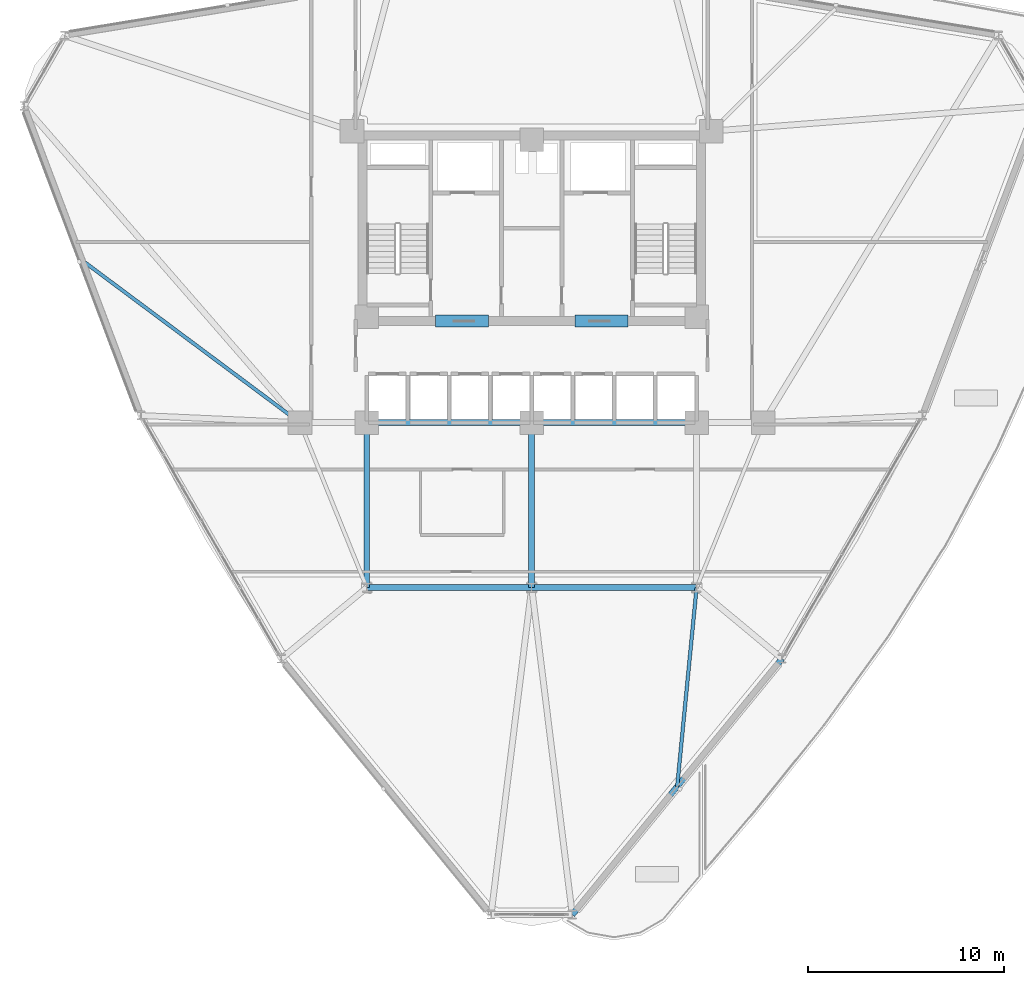
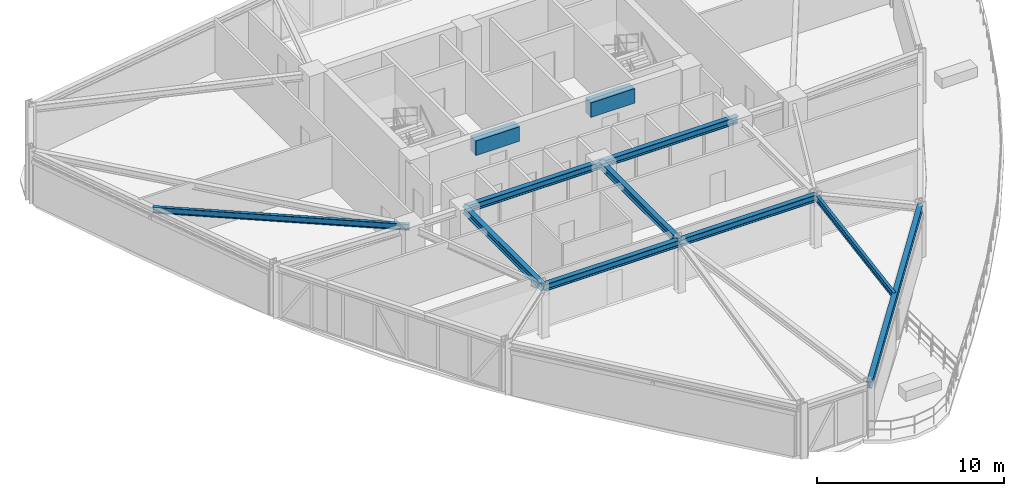
# One storey, part 6 of 23: 11 beams.
"""IFC4 building model written with IfcOpenShell, lengths in metres."""

from ifc_helpers import new_model, si_unit, derived_unit, direction, frame, origin, origin_2d, place, context, subcontext, project, spatial, rectangle, i_section, extrude, source, transform, mapped, material, material_profile, profile_set, type_object, element, save


model = new_model("IFC4")

# Units and contexts
model_context = context("Model", 3, precision=1e-05, world=origin(), true_north=direction((0.0, 1.0)))
body_context = subcontext(model_context, "Body", "Model", "MODEL_VIEW")
ifc_project = project(units=[si_unit("LENGTHUNIT", "METRE"), si_unit("AREAUNIT", "SQUARE_METRE"), si_unit("VOLUMEUNIT", "CUBIC_METRE"), si_unit("PLANEANGLEUNIT", "RADIAN"), si_unit("MASSUNIT", "GRAM", prefix="KILO"), derived_unit("THERMALTRANSMITTANCEUNIT", [(si_unit("POWERUNIT", "WATT"), 1), (si_unit("LENGTHUNIT", "METRE"), -2), (si_unit("THERMODYNAMICTEMPERATUREUNIT", "KELVIN"), -1)])], contexts=[model_context])

# Site, building, storey
site_placement = place(None, origin())
site = spatial("IfcSite", under=ifc_project, at=site_placement, CompositionType="ELEMENT")
building_placement = place(site_placement, origin())
building = spatial("IfcBuilding", under=site, at=building_placement, Name="Korsvarv Bourse and Concert Hall", CompositionType="ELEMENT")
storey_placement = place(building_placement, frame((0.0, 0.0, 99.0)))
storey = spatial("IfcBuildingStorey", under=building, at=storey_placement, Name="L24", CompositionType="ELEMENT", Elevation=99.0)

# Beams
ifc_material_1 = material(Name="Concrete C55/67", Category="concrete")
ifc_material_profile_1 = material_profile(ifc_material_1, rectangle(XDim=0.60009765625, YDim=0.949951171875, at=origin_2d()), Name="RC-BM 600x950")
ifc_profile_set_1 = profile_set([ifc_material_profile_1], Name="Concrete C55/67")
beam_type_1 = type_object("IfcBeamType", Name="BM-CPL", PredefinedType="LINTEL", material=ifc_profile_set_1)
shared_shape_1 = source(origin(), body_context, "Body", "SweptSolid", [
    extrude(rectangle(XDim=0.60009765625, YDim=0.949951171875, at=origin_2d()), origin(), (0.0, 0.0, 1.0), 2.699951171875),
])
for number, where, z_axis, x_axis, name in (
    (1, (31.10009765625, 37.574951171875, 2.925048828125), (1.0, 0.0, 0.0), (0.0, 1.0, 0.0), "L24 Core Coupling Beam West"),
    (2, (38.199951171875, 37.574951171875, 2.925048828125), (1.0, 0.0, 0.0), (0.0, 1.0, 0.0), "L24 Core Coupling Beam East"),
):
    element("IfcBeam", number, at=place(storey_placement, frame(where, z_axis=z_axis, x_axis=x_axis)), inside=storey, type_object=beam_type_1, Name=name, PredefinedType="LINTEL", context=body_context, shape_type="MappedRepresentation", body=[
        mapped(shared_shape_1, transform((0.0, 0.0, 0.0), scale=1.0)),
    ])
ifc_material_2 = material(Name="Steel S355", Category="steel")
ifc_material_profile_2 = material_profile(ifc_material_2, i_section(OverallWidth=0.300048828125, OverallDepth=0.449951171875, WebThickness=0.013916015625, FlangeThickness=0.02587890625, FilletRadius=0.02099609375, at=origin_2d()), Name="HEB 450")
ifc_profile_set_2 = profile_set([ifc_material_profile_2], Name="Steel S355")
beam_type_2 = type_object("IfcBeamType", Name="BM-HEB450", PredefinedType="SPANDREL", material=ifc_profile_set_2)
shared_shape_2 = source(origin(), body_context, "Body", "SweptSolid", [
    extrude(i_section(OverallWidth=0.300048828125, OverallDepth=0.449951171875, WebThickness=0.013916015625, FlangeThickness=0.02587890625, FilletRadius=0.02099609375, at=origin_2d()), origin(), (0.0, 0.0, 1.0), 8.39990234375),
])
for number, where, z_axis, x_axis, name in (
    (3, (27.60009765625, 32.39990234375, 3.175048828125), (1.0, 0.0, 0.0), (0.0, 1.0, 0.0), "L24 beam B-08"),
    (4, (36.0, 32.39990234375, 3.175048828125), (1.0, 0.0, 0.0), (0.0, 1.0, 0.0), "L24 beam B-08"),
    (5, (27.60009765625, 24.0, 3.175048828125), (1.0, 0.0, 0.0), (0.0, 1.0, 0.0), "L24 beam B-08"),
    (6, (36.0, 24.0, 3.175048828125), (1.0, 0.0, 0.0), (0.0, 1.0, 0.0), "L24 beam B-08"),
    (7, (27.60009765625, 24.0, 3.175048828125), (0.0, 1.0, 0.0), (-1.0, 0.0, 0.0), "L24 beam B-08"),
    (8, (36.0, 24.0, 3.175048828125), (0.0, 1.0, 0.0), (-1.0, 0.0, 0.0), "L24 beam B-08"),
):
    element("IfcBeam", number, at=place(storey_placement, frame(where, z_axis=z_axis, x_axis=x_axis)), inside=storey, type_object=beam_type_2, Name=name, PredefinedType="SPANDREL", context=body_context, shape_type="MappedRepresentation", body=[
        mapped(shared_shape_2, transform((0.0, 0.0, 0.0), scale=1.0)),
    ])
ifc_material_profile_3 = material_profile(ifc_material_2, i_section(OverallWidth=0.300048828125, OverallDepth=0.39990234375, WebThickness=0.013427734375, FlangeThickness=0.02392578125, FilletRadius=0.02099609375, at=origin_2d()), Name="HEB 400")
ifc_profile_set_3 = profile_set([ifc_material_profile_3], Name="Steel S355")
beam_type_3 = type_object("IfcBeamType", Name="BM-HEB400", PredefinedType="SPANDREL", material=ifc_profile_set_3)
shared_shape_3 = source(origin(), body_context, "Body", "SweptSolid", [
    extrude(i_section(OverallWidth=0.300048828125, OverallDepth=0.39990234375, WebThickness=0.013427734375, FlangeThickness=0.02392578125, FilletRadius=0.02099609375, at=origin_2d()), origin(), (0.0, 0.0, 1.0), 16.8564453125),
])
beam_1_placement = place(storey_placement, frame((38.068359375, 7.34375, 3.199951171875), z_axis=(0.63375425105, 0.773534452546, 0.0), x_axis=(-0.773534452546, 0.63375425105, 0.0)))
element("IfcBeam", 9, at=beam_1_placement, inside=storey, type_object=beam_type_3, Name="L24 beam B-09", PredefinedType="SPANDREL", context=body_context, shape_type="MappedRepresentation", body=[
    mapped(shared_shape_3, transform((0.0, 0.0, 0.0), scale=1.0)),
])
ifc_material_profile_4 = material_profile(ifc_material_2, i_section(OverallWidth=0.179931640625, OverallDepth=0.39990234375, WebThickness=0.008544921875, FlangeThickness=0.013427734375, FilletRadius=0.02099609375, at=origin_2d()), Name="IPE 400")
ifc_profile_set_4 = profile_set([ifc_material_profile_4], Name="Steel S355")
beam_type_4 = type_object("IfcBeamType", Name="BM-IPE400", PredefinedType="JOIST", material=ifc_profile_set_4)
shared_shape_4 = source(origin(), body_context, "Body", "SweptSolid", [
    extrude(i_section(OverallWidth=0.179931640625, OverallDepth=0.39990234375, WebThickness=0.008544921875, FlangeThickness=0.013427734375, FilletRadius=0.02099609375, at=origin_2d()), origin(), (0.0, 0.0, 1.0), 13.811767578125),
])
beam_2_placement = place(storey_placement, frame((13.1240234375, 40.6513671875, 3.199951171875), z_axis=(0.801924007943, -0.597426050223, 0.0), x_axis=(0.597426050223, 0.801924007943, 0.0)))
element("IfcBeam", 10, at=beam_2_placement, inside=storey, type_object=beam_type_4, Name="L24 beam J-05", PredefinedType="JOIST", context=body_context, shape_type="MappedRepresentation", body=[
    mapped(shared_shape_4, transform((0.0, 0.0, 0.0), scale=1.0)),
])
shared_shape_5 = source(origin(), body_context, "Body", "SweptSolid", [
    extrude(i_section(OverallWidth=0.179931640625, OverallDepth=0.39990234375, WebThickness=0.008544921875, FlangeThickness=0.013427734375, FilletRadius=0.02099609375, at=origin_2d()), origin(), (0.0, 0.0, 1.0), 10.18505859375),
])
beam_3_placement = place(storey_placement, frame((43.409912109375, 13.86328125, 3.199951171875), z_axis=(0.097201313218, 0.995264741016, 0.0), x_axis=(-0.995264741016, 0.097201313218, 0.0)))
element("IfcBeam", 11, at=beam_3_placement, inside=storey, type_object=beam_type_4, Name="L24 beam J-05", PredefinedType="JOIST", context=body_context, shape_type="MappedRepresentation", body=[
    mapped(shared_shape_5, transform((0.0, 0.0, 0.0), scale=1.0)),
])

save(model, "model.ifc")
